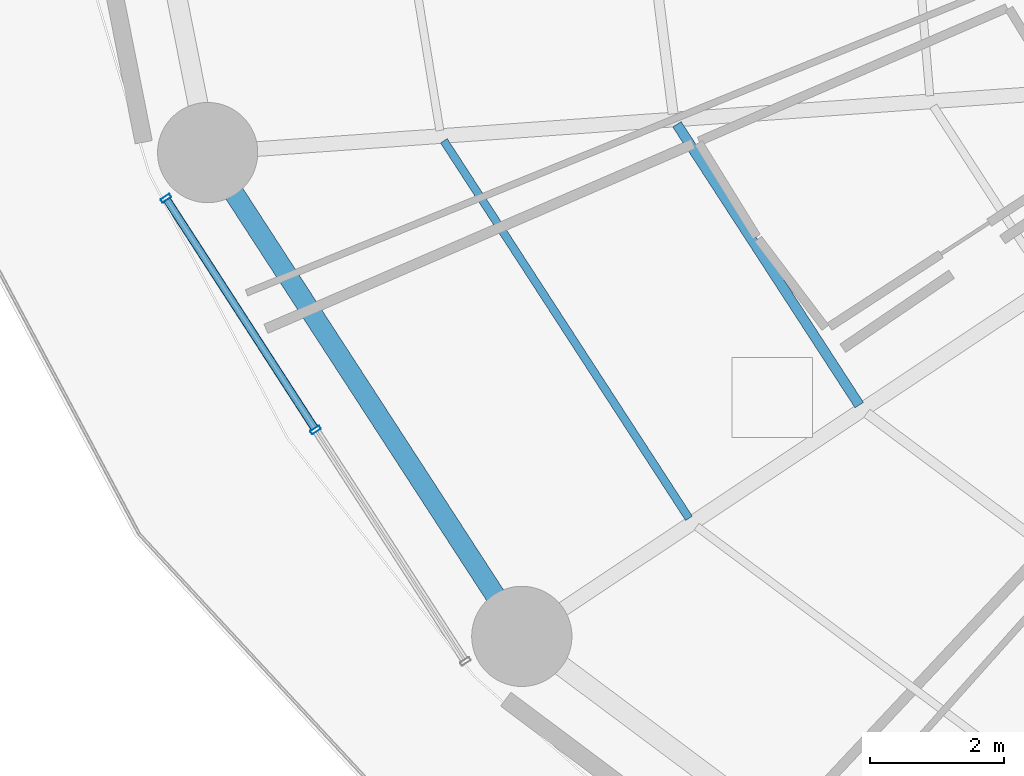
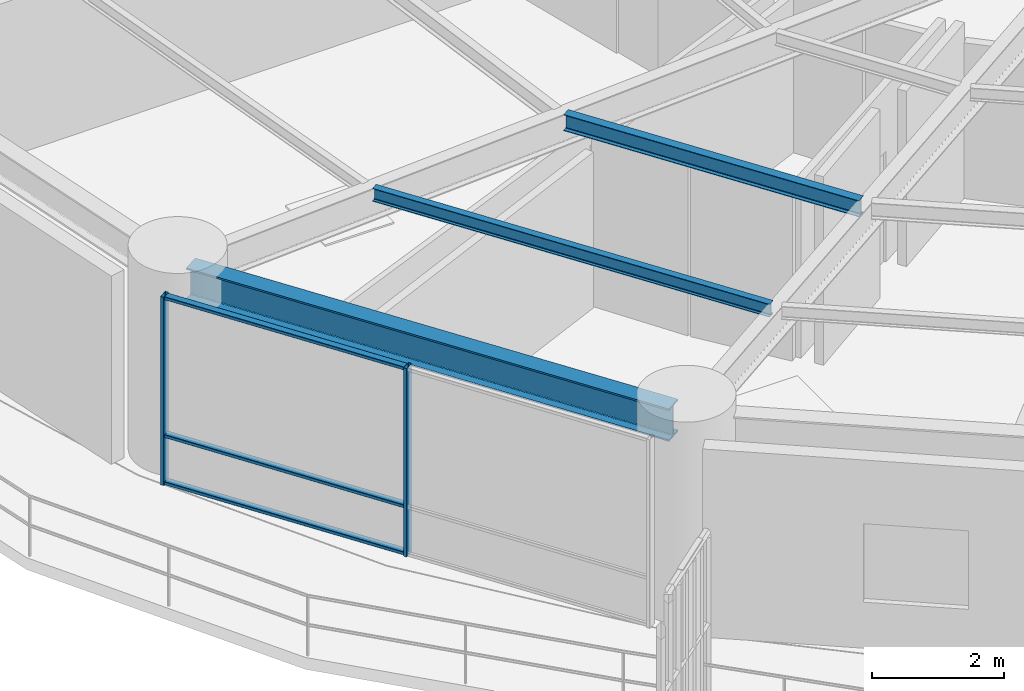
# One storey, part 4 of 33: 5 members, 3 beams, 1 element without a shape of its own.
"""IFC4 building model written with IfcOpenShell, lengths in metres."""

from ifc_helpers import new_model, si_unit, direction, frame, origin, origin_2d, place, context, subcontext, project, spatial, hollow_rectangle, i_section, extrude, material, layer, layer_set, material_profile, profile_set, type_object, element, aggregate, save


model = new_model("IFC4")

# Units and contexts
model_context = context("Model", 3, precision=1e-05, world=origin(), true_north=direction((0.0, 1.0)))
body_context = subcontext(model_context, "Body", "Model", "MODEL_VIEW")
ifc_project = project(units=[si_unit("LENGTHUNIT", "METRE"), si_unit("AREAUNIT", "SQUARE_METRE"), si_unit("VOLUMEUNIT", "CUBIC_METRE"), si_unit("PLANEANGLEUNIT", "RADIAN"), si_unit("MASSUNIT", "GRAM", prefix="KILO")], contexts=[model_context])

# Site, building, storey
site_placement = place(None, origin())
site = spatial("IfcSite", under=ifc_project, at=site_placement, CompositionType="ELEMENT")
building_placement = place(site_placement, origin())
building = spatial("IfcBuilding", under=site, at=building_placement, Name="Kelanora Arch Commons", CompositionType="ELEMENT")
storey_placement = place(building_placement, frame((0.0, 0.0, 26.25)))
storey = spatial("IfcBuildingStorey", under=building, at=storey_placement, Name="L06", CompositionType="ELEMENT", Elevation=26.25)

# Beams
ifc_material_1 = material(Name="Steel S355", Category="steel")
ifc_material_profile_1 = material_profile(ifc_material_1, i_section(OverallWidth=0.14990234375, OverallDepth=0.300048828125, WebThickness=0.007080078125, FlangeThickness=0.0107421875, FilletRadius=0.014892578125, at=origin_2d()), Name="IPE300")
ifc_profile_set_1 = profile_set([ifc_material_profile_1], Name="Steel S355")
beam_type_1 = type_object("IfcBeamType", Name="BM-JST-01", PredefinedType="JOIST", material=ifc_profile_set_1)
beam_1_placement = place(storey_placement, frame((55.578125, 50.187255859375, 3.340087890625), z_axis=(0.544551588245, -0.838727350061, 0.0), x_axis=(0.838727350061, 0.544551588245, 0.0)))
element("IfcBeam", 1, at=beam_1_placement, inside=storey, type_object=beam_type_1, Name="Secondary Chord Joist BJB-20 L06", PredefinedType="JOIST", context=body_context, shape_type="SweptSolid", body=[
    extrude(i_section(OverallWidth=0.14990234375, OverallDepth=0.300048828125, WebThickness=0.007080078125, FlangeThickness=0.0107421875, FilletRadius=0.014892578125, at=origin_2d()), origin(), (0.0, 0.0, 1.0), 5.010986328125),
])
ifc_material_profile_2 = material_profile(ifc_material_1, i_section(OverallWidth=0.1201171875, OverallDepth=0.239990234375, WebThickness=0.006103515625, FlangeThickness=0.009765625, FilletRadius=0.014892578125, at=origin_2d()), Name="IPE240")
ifc_profile_set_2 = profile_set([ifc_material_profile_2], Name="Steel S355")
beam_type_2 = type_object("IfcBeamType", Name="BM-JST-02", PredefinedType="JOIST", material=ifc_profile_set_2)
beam_2_placement = place(storey_placement, frame((52.0888671875, 49.940185546875, 3.3701171875), z_axis=(0.544550165372, -0.838728273873, 0.0), x_axis=(0.838728273873, 0.544550165372, 0.0)))
element("IfcBeam", 2, at=beam_2_placement, inside=storey, type_object=beam_type_2, Name="Secondary Chord Joist BJC-20 L06", PredefinedType="JOIST", context=body_context, shape_type="SweptSolid", body=[
    extrude(i_section(OverallWidth=0.1201171875, OverallDepth=0.239990234375, WebThickness=0.006103515625, FlangeThickness=0.009765625, FilletRadius=0.014892578125, at=origin_2d()), origin(), (0.0, 0.0, 1.0), 6.738037109375),
])
ifc_material_profile_3 = material_profile(ifc_material_1, i_section(OverallWidth=0.300048828125, OverallDepth=0.60009765625, WebThickness=0.015380859375, FlangeThickness=0.030029296875, FilletRadius=0.027099609375, at=origin_2d()), Name="HEB600")
ifc_profile_set_3 = profile_set([ifc_material_profile_3], Name="Steel S355")
beam_type_3 = type_object("IfcBeamType", Name="BM-SPN-Z1", PredefinedType="SPANDREL", material=ifc_profile_set_3)
beam_3_placement = place(storey_placement, frame((48.6728515625, 49.57958984375, 3.18994140625), z_axis=(0.544580949539, -0.838708286235, 0.0), x_axis=(0.838708286235, 0.544580949539, 0.0)))
element("IfcBeam", 3, at=beam_3_placement, inside=storey, type_object=beam_type_3, Name="Perimeter Spandrel Beam BS-20 L06", PredefinedType="SPANDREL", context=body_context, shape_type="SweptSolid", body=[
    extrude(i_section(OverallWidth=0.300048828125, OverallDepth=0.60009765625, WebThickness=0.015380859375, FlangeThickness=0.030029296875, FilletRadius=0.027099609375, at=origin_2d()), origin(), (0.0, 0.0, 1.0), 8.195068359375),
])

# Curtain wall, members
ifc_material_2 = material(Name="Terracotta ceramic-fritted low-E glass and aluminium", Category="masonry")
ifc_layer = layer(ifc_material_2, 0.159912109375)
ifc_layer_set = layer_set([ifc_layer], Name="Terracotta ceramic-fritted low-E glass and aluminium")
curtain_wall_type = type_object("IfcCurtainWallType", Name="CW-SYS-01", PredefinedType="NOTDEFINED", material=ifc_layer_set)
curtain_wall_placement = place(storey_placement, origin())
curtain_wall = element("IfcCurtainWall", 4, at=curtain_wall_placement, inside=storey, type_object=curtain_wall_type, Name="Unitised Curtain Wall L06-B10", PredefinedType="NOTDEFINED")
ifc_material_3 = material(Name="Powder-coated aluminium terracotta", Category="masonry")
ifc_material_profile_4 = material_profile(ifc_material_3, hollow_rectangle(XDim=0.159912109375, YDim=0.06005859375, WallThickness=0.0048828125, InnerFilletRadius=0.0048828125, OuterFilletRadius=0.010009765625, at=origin_2d()), Name="CWM160x60")
ifc_profile_set_4 = profile_set([ifc_material_profile_4], Name="Powder-coated aluminium terracotta")
member_type_1 = type_object("IfcMemberType", Name="CWM-STD", PredefinedType="MULLION", material=ifc_profile_set_4)
member_1_placement = place(storey_placement, frame((47.927734375, 49.07958984375, 0.0), z_axis=(0.0, 0.0, 1.0), x_axis=(0.83972982332, 0.543004441812, 0.0)))
member_1 = element("IfcMember", 5, at=member_1_placement, type_object=member_type_1, Name="CW-01 mullion 1", PredefinedType="MULLION", context=body_context, shape_type="SweptSolid", body=[
    extrude(hollow_rectangle(XDim=0.159912109375, YDim=0.06005859375, WallThickness=0.0048828125, InnerFilletRadius=0.0048828125, OuterFilletRadius=0.010009765625, at=origin_2d()), origin(), (0.0, 0.0, 1.0), 3.47509765625),
])
member_2_placement = place(storey_placement, frame((50.169189453125, 45.61328125, 0.0), z_axis=(0.0, 0.0, 1.0), x_axis=(0.83972982332, 0.543004441812, 0.0)))
member_2 = element("IfcMember", 6, at=member_2_placement, type_object=member_type_1, Name="CW-01 mullion 2", PredefinedType="MULLION", context=body_context, shape_type="SweptSolid", body=[
    extrude(hollow_rectangle(XDim=0.159912109375, YDim=0.06005859375, WallThickness=0.0048828125, InnerFilletRadius=0.0048828125, OuterFilletRadius=0.010009765625, at=origin_2d()), origin(), (0.0, 0.0, 1.0), 3.47509765625),
])
ifc_material_profile_5 = material_profile(ifc_material_3, hollow_rectangle(XDim=0.1201171875, YDim=0.06005859375, WallThickness=0.0048828125, InnerFilletRadius=0.0048828125, OuterFilletRadius=0.010009765625, at=origin_2d()), Name="CWT120x60")
ifc_profile_set_5 = profile_set([ifc_material_profile_5], Name="Powder-coated aluminium terracotta")
member_type_2 = type_object("IfcMemberType", Name="CWT-STD", PredefinedType="USERDEFINED", material=ifc_profile_set_5)
member_3_placement = place(storey_placement, frame((47.944091796875, 49.054443359375, 0.030029296875), z_axis=(0.542997414293, -0.839734367566, 0.0), x_axis=(0.839734367566, 0.542997414293, 0.0)))
member_3 = element("IfcMember", 7, at=member_3_placement, type_object=member_type_2, Name="CW-01 transom 1.1", ObjectType="TRANSOM", PredefinedType="USERDEFINED", context=body_context, shape_type="SweptSolid", body=[
    extrude(hollow_rectangle(XDim=0.1201171875, YDim=0.06005859375, WallThickness=0.0048828125, InnerFilletRadius=0.0048828125, OuterFilletRadius=0.010009765625, at=origin_2d()), origin(), (0.0, 0.0, 1.0), 4.067626953125),
])
member_4_placement = place(storey_placement, frame((47.944091796875, 49.054443359375, 0.89990234375), z_axis=(0.542997414293, -0.839734367566, 0.0), x_axis=(0.839734367566, 0.542997414293, 0.0)))
member_4 = element("IfcMember", 8, at=member_4_placement, type_object=member_type_2, Name="CW-01 transom 1.2", ObjectType="TRANSOM", PredefinedType="USERDEFINED", context=body_context, shape_type="SweptSolid", body=[
    extrude(hollow_rectangle(XDim=0.1201171875, YDim=0.06005859375, WallThickness=0.0048828125, InnerFilletRadius=0.0048828125, OuterFilletRadius=0.010009765625, at=origin_2d()), origin(), (0.0, 0.0, 1.0), 4.067626953125),
])
member_5_placement = place(storey_placement, frame((47.944091796875, 49.054443359375, 3.445068359375), z_axis=(0.542997414293, -0.839734367566, 0.0), x_axis=(0.839734367566, 0.542997414293, 0.0)))
member_5 = element("IfcMember", 9, at=member_5_placement, type_object=member_type_2, Name="CW-01 transom 1.3", ObjectType="TRANSOM", PredefinedType="USERDEFINED", context=body_context, shape_type="SweptSolid", body=[
    extrude(hollow_rectangle(XDim=0.1201171875, YDim=0.06005859375, WallThickness=0.0048828125, InnerFilletRadius=0.0048828125, OuterFilletRadius=0.010009765625, at=origin_2d()), origin(), (0.0, 0.0, 1.0), 4.067626953125),
])
aggregate(curtain_wall, [member_1, member_2, member_3, member_4, member_5])

save(model, "model.ifc")
